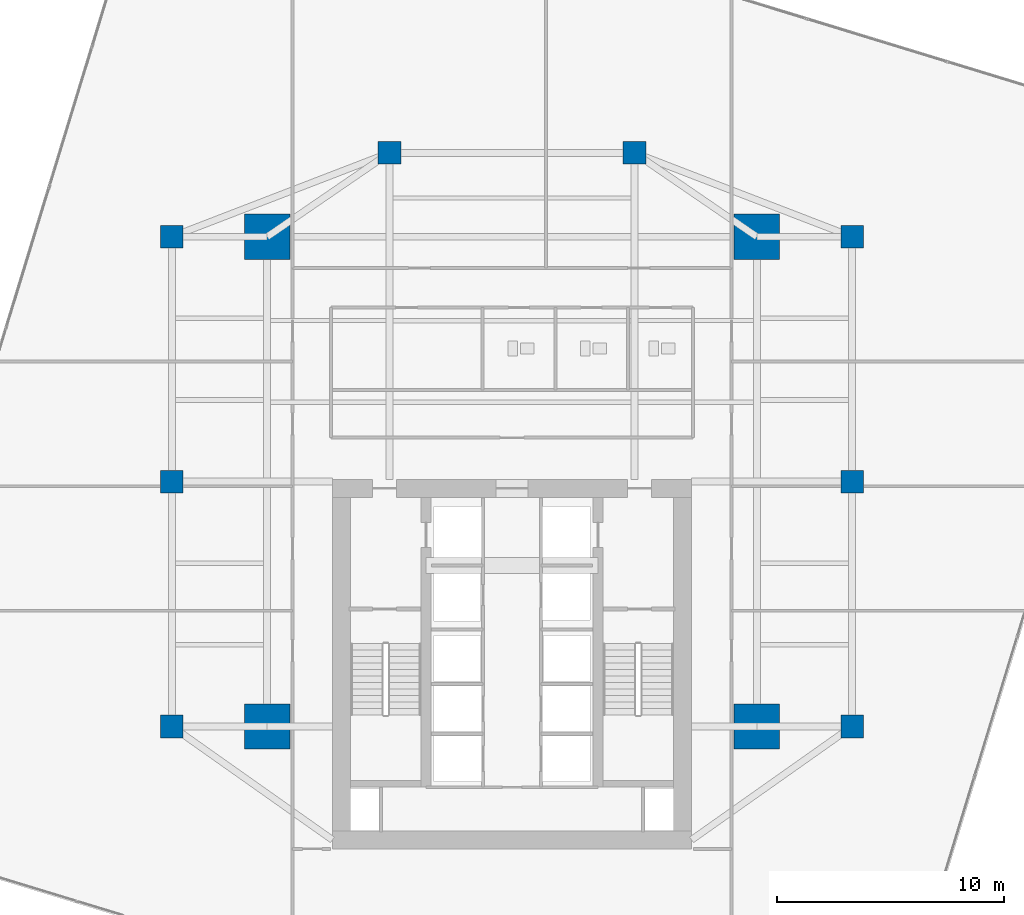
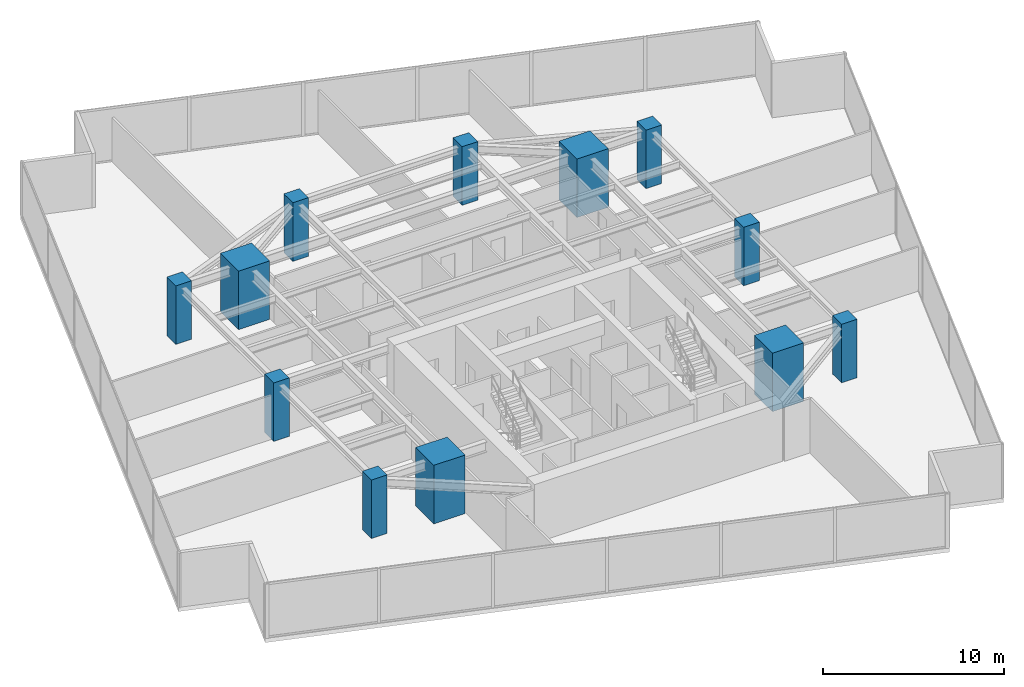
# One storey, part 1 of 26: 12 columns.
"""IFC4 building model written with IfcOpenShell, lengths in metres."""

from ifc_helpers import new_model, si_unit, direction, frame, origin, origin_2d, place, context, subcontext, project, spatial, rectangle, extrude, source, transform, mapped, material, material_profile, profile_set, type_object, type_shapes, element, save


model = new_model("IFC4")

# Units and contexts
model_context = context("Model", 3, precision=1e-05, world=origin(), true_north=direction((0.0, 1.0)))
body_context = subcontext(model_context, "Body", "Model", "MODEL_VIEW")
ifc_project = project(units=[si_unit("LENGTHUNIT", "METRE"), si_unit("AREAUNIT", "SQUARE_METRE"), si_unit("VOLUMEUNIT", "CUBIC_METRE"), si_unit("PLANEANGLEUNIT", "RADIAN"), si_unit("MASSUNIT", "GRAM", prefix="KILO")], contexts=[model_context])

# Site, building, storey
site_placement = place(None, origin())
site = spatial("IfcSite", under=ifc_project, at=site_placement, CompositionType="ELEMENT")
building_placement = place(site_placement, origin())
building = spatial("IfcBuilding", under=site, at=building_placement, Name="Krantzveldt Concourse Tower", CompositionType="ELEMENT")
storey_placement = place(building_placement, frame((0.0, 0.0, 113.75)))
storey = spatial("IfcBuildingStorey", under=building, at=storey_placement, Name="L27", CompositionType="ELEMENT", Elevation=113.75)

# Columns
ifc_material = material(Name="Concrete C60/75", Category="concrete")
ifc_material_profile_1 = material_profile(ifc_material, rectangle(XDim=2.0, YDim=2.0, at=origin_2d()), Name="Concrete C60/75", Category="concrete")
ifc_profile_set_1 = profile_set([ifc_material_profile_1], Name="Concrete C60/75 - RC 2000x2000")
column_type_1 = type_object("IfcColumnType", Name="COL-MC-2000", PredefinedType="USERDEFINED", material=ifc_profile_set_1)
shared_shape_1 = source(origin(), body_context, "Body", "SweptSolid", [
    extrude(rectangle(XDim=2.0, YDim=2.0, at=origin_2d()), origin(), (0.0, 0.0, 1.0), 3.949951171875),
])
type_shapes(column_type_1, [shared_shape_1])
for number, where, z_axis, x_axis, name in (
    (1, (25.199951171875, 15.89990234375, 0.0), (0.0, 0.0, 1.0), (1.0, 0.0, 0.0), "MC-SW-L27"),
    (2, (46.800048828125, 15.89990234375, 0.0), (0.0, 0.0, 1.0), (1.0, 0.0, 0.0), "MC-SE-L27"),
    (3, (46.800048828125, 37.5, 0.0), (0.0, 0.0, 1.0), (1.0, 0.0, 0.0), "MC-NE-L27"),
    (4, (25.199951171875, 37.5, 0.0), (0.0, 0.0, 1.0), (1.0, 0.0, 0.0), "MC-NW-L27"),
):
    element("IfcColumn", number, at=place(storey_placement, frame(where, z_axis=z_axis, x_axis=x_axis)), inside=storey, type_object=column_type_1, Name=name, ObjectType="MEGA COLUMN", PredefinedType="USERDEFINED", context=body_context, shape_type="MappedRepresentation", body=[
        mapped(shared_shape_1, transform((0.0, 0.0, 0.0), x_axis=(1.0, 0.0, 0.0), y_axis=(0.0, 1.0, 0.0), z_axis=(0.0, 0.0, 1.0), scale=1.0)),
    ])
ifc_material_profile_2 = material_profile(ifc_material, rectangle(XDim=1.0, YDim=1.0, at=origin_2d()), Name="Concrete C60/75", Category="concrete")
ifc_profile_set_2 = profile_set([ifc_material_profile_2], Name="Concrete C60/75 - RC 1000x1000")
column_type_2 = type_object("IfcColumnType", Name="COL-C-Z2", PredefinedType="COLUMN", material=ifc_profile_set_2)
shared_shape_2 = source(origin(), body_context, "Body", "SweptSolid", [
    extrude(rectangle(XDim=1.0, YDim=1.0, at=origin_2d()), origin(), (0.0, 0.0, 1.0), 3.949951171875),
])
type_shapes(column_type_2, [shared_shape_2])
for number, where, z_axis, x_axis, name in (
    (5, (21.0, 15.89990234375, 0.0), (0.0, 0.0, 1.0), (1.0, 0.0, 0.0), "PC-R01-L27"),
    (6, (21.0, 26.699951171875, 0.0), (0.0, 0.0, 1.0), (1.0, 0.0, 0.0), "PC-R02-L27"),
    (7, (21.0, 37.5, 0.0), (0.0, 0.0, 1.0), (1.0, 0.0, 0.0), "PC-R03-L27"),
    (8, (30.60009765625, 41.199951171875, 0.0), (0.0, 0.0, 1.0), (1.0, 0.0, 0.0), "PC-R04-L27"),
    (9, (41.39990234375, 41.199951171875, 0.0), (0.0, 0.0, 1.0), (1.0, 0.0, 0.0), "PC-R05-L27"),
    (10, (51.0, 37.5, 0.0), (0.0, 0.0, 1.0), (1.0, 0.0, 0.0), "PC-R06-L27"),
    (11, (51.0, 26.699951171875, 0.0), (0.0, 0.0, 1.0), (1.0, 0.0, 0.0), "PC-R07-L27"),
    (12, (51.0, 15.89990234375, 0.0), (0.0, 0.0, 1.0), (1.0, 0.0, 0.0), "PC-R08-L27"),
):
    element("IfcColumn", number, at=place(storey_placement, frame(where, z_axis=z_axis, x_axis=x_axis)), inside=storey, type_object=column_type_2, Name=name, PredefinedType="COLUMN", context=body_context, shape_type="MappedRepresentation", body=[
        mapped(shared_shape_2, transform((0.0, 0.0, 0.0), x_axis=(1.0, 0.0, 0.0), y_axis=(0.0, 1.0, 0.0), z_axis=(0.0, 0.0, 1.0), scale=1.0)),
    ])

save(model, "model.ifc")
